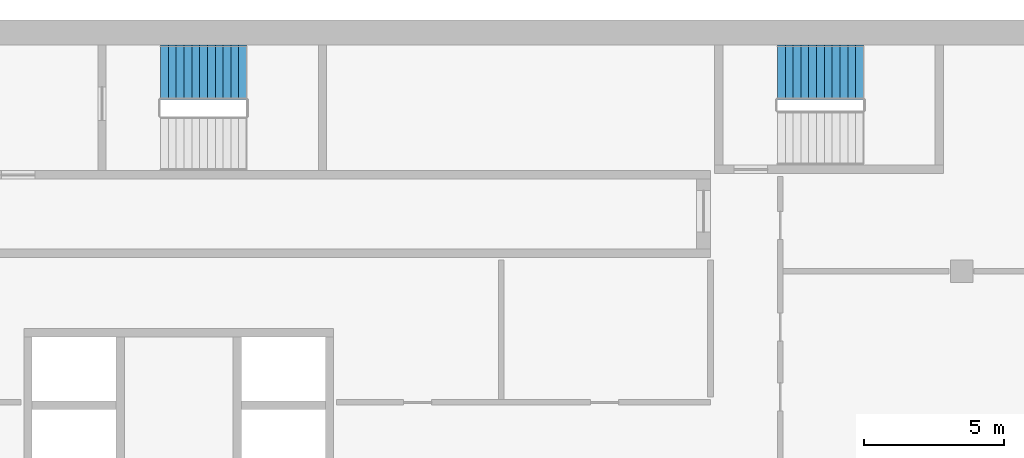
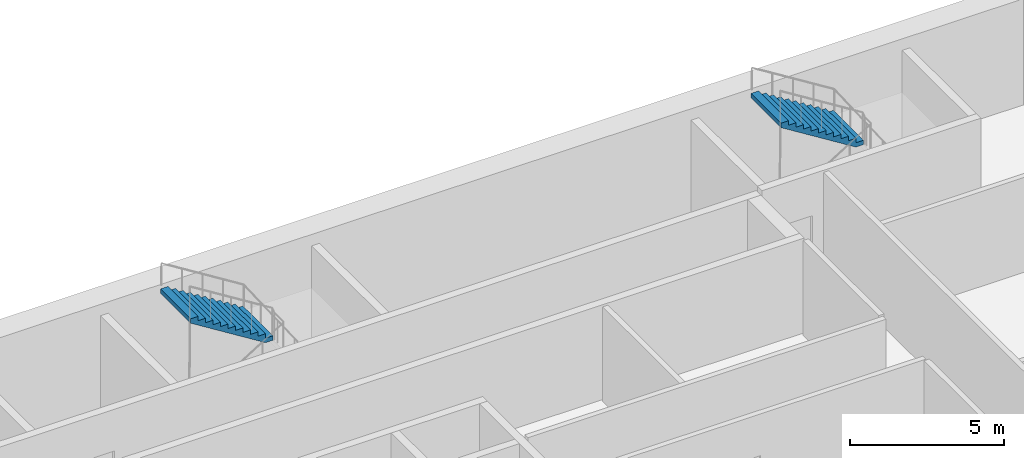
# One storey, part 9 of 11: 2 stair flights, 2 elements without a shape of their own.
"""IFC4 building model written with IfcOpenShell, lengths in metres."""

from ifc_helpers import new_model, si_unit, direction, frame, origin, place, context, subcontext, project, spatial, polyline, outline, extrude, material, type_object, element, aggregate, save


model = new_model("IFC4")

# Units and contexts
model_context = context("Model", 3, precision=1e-05, world=origin(), true_north=direction((0.0, 1.0)))
body_context = subcontext(model_context, "Body", "Model", "MODEL_VIEW")
ifc_project = project(units=[si_unit("LENGTHUNIT", "METRE"), si_unit("AREAUNIT", "SQUARE_METRE"), si_unit("VOLUMEUNIT", "CUBIC_METRE"), si_unit("PLANEANGLEUNIT", "RADIAN"), si_unit("MASSUNIT", "GRAM", prefix="KILO")], contexts=[model_context])

# Site, building, storey
site_placement = place(None, origin())
site = spatial("IfcSite", under=ifc_project, at=site_placement, CompositionType="ELEMENT")
building_placement = place(site_placement, origin())
building = spatial("IfcBuilding", under=site, at=building_placement, Name="Hunhe Ridgeline Campus", CompositionType="ELEMENT")
storey_placement = place(building_placement, frame((0.0, 0.0, 303.0)))
storey = spatial("IfcBuildingStorey", under=building, at=storey_placement, Name="L78 Crown", CompositionType="ELEMENT", Elevation=303.0)

# Stair, stair flight
ifc_material = material(Name="Concrete C40", Category="concrete")
stair_type = type_object("IfcStairType", Name="Reinforced concrete dog-leg stair 1950 Concrete C40", PredefinedType="HALF_TURN_STAIR", material=ifc_material)
stair_1_placement = place(storey_placement, origin())
stair_1 = element("IfcStair", 1, at=stair_1_placement, inside=storey, type_object=stair_type, Name="L78 Crown S1", PredefinedType="HALF_TURN_STAIR")
stair_flight_type = type_object("IfcStairFlightType", Name="Reinforced concrete stair flight 1950 Concrete C40", PredefinedType="STRAIGHT", material=ifc_material)
stair_flight_1_placement = place(storey_placement, frame((19.3798828125, 97.125, 2.10009765625), z_axis=(0.0, 0.0, 1.0), x_axis=(-1.0, 0.0, 0.0)))
stair_flight_1 = element("IfcStairFlight", 2, at=stair_flight_1_placement, type_object=stair_flight_type, Name="ST1 flight 2", NumberOfRisers=12, NumberOfTreads=11, PredefinedType="STRAIGHT", RiserHeight=0.175, TreadLength=0.28, context=body_context, shape_type="SweptSolid", body=[
    extrude(outline(polyline([(0.0, 0.0), (0.0, 0.175048828125), (0.280029296875, 0.175048828125), (0.280029296875, 0.35009765625), (0.56005859375, 0.35009765625), (0.56005859375, 0.52490234375), (0.840087890625, 0.52490234375), (0.840087890625, 0.699951171875), (1.1201171875, 0.699951171875), (1.1201171875, 0.875), (1.39990234375, 0.875), (1.39990234375, 1.050048828125), (1.679931640625, 1.050048828125), (1.679931640625, 1.22509765625), (1.9599609375, 1.22509765625), (1.9599609375, 1.39990234375), (2.239990234375, 1.39990234375), (2.239990234375, 1.574951171875), (2.52001953125, 1.574951171875), (2.52001953125, 1.75), (2.800048828125, 1.75), (2.800048828125, 1.925048828125), (3.080078125, 1.925048828125), (3.080078125, 2.10009765625), (3.080078125, 1.748291015625), (0.28271484375, 0.0), (0.0, 0.0)])), frame((0.0, 0.97509765625, 0.0), z_axis=(0.0, -1.0, 0.0), x_axis=(1.0, 0.0, 0.0)), (0.0, 0.0, 1.0), 1.949951171875),
    extrude(outline(polyline([(0.030029296875, 0.030029296875), (0.030029296875, 0.14501953125), (0.31005859375, 0.14501953125), (0.31005859375, 0.320068359375), (0.590087890625, 0.320068359375), (0.590087890625, 0.4951171875), (0.8701171875, 0.4951171875), (0.8701171875, 0.669921875), (1.14990234375, 0.669921875), (1.14990234375, 0.844970703125), (1.429931640625, 0.844970703125), (1.429931640625, 1.02001953125), (1.7099609375, 1.02001953125), (1.7099609375, 1.195068359375), (1.989990234375, 1.195068359375), (1.989990234375, 1.3701171875), (2.27001953125, 1.3701171875), (2.27001953125, 1.544921875), (2.550048828125, 1.544921875), (2.550048828125, 1.719970703125), (2.830078125, 1.719970703125), (2.830078125, 1.89501953125), (3.050048828125, 1.89501953125), (3.050048828125, 1.764892578125), (0.274169921875, 0.030029296875), (0.030029296875, 0.030029296875)])), frame((0.0, -0.070068359375, 0.0), z_axis=(0.0, -1.0, 0.0), x_axis=(1.0, 0.0, 0.0)), (0.0, 0.0, 1.0), 0.019775390625),
    extrude(outline(polyline([(0.030029296875, 0.030029296875), (0.030029296875, 0.14501953125), (0.31005859375, 0.14501953125), (0.31005859375, 0.320068359375), (0.590087890625, 0.320068359375), (0.590087890625, 0.4951171875), (0.8701171875, 0.4951171875), (0.8701171875, 0.669921875), (1.14990234375, 0.669921875), (1.14990234375, 0.844970703125), (1.429931640625, 0.844970703125), (1.429931640625, 1.02001953125), (1.7099609375, 1.02001953125), (1.7099609375, 1.195068359375), (1.989990234375, 1.195068359375), (1.989990234375, 1.3701171875), (2.27001953125, 1.3701171875), (2.27001953125, 1.544921875), (2.550048828125, 1.544921875), (2.550048828125, 1.719970703125), (2.830078125, 1.719970703125), (2.830078125, 1.89501953125), (3.050048828125, 1.89501953125), (3.050048828125, 1.764892578125), (0.274169921875, 0.030029296875), (0.030029296875, 0.030029296875)])), frame((0.0, 0.010009765625, 0.0), z_axis=(0.0, -1.0, 0.0), x_axis=(1.0, 0.0, 0.0)), (0.0, 0.0, 1.0), 0.019775390625),
    extrude(outline(polyline([(0.030029296875, 0.030029296875), (0.030029296875, 0.14501953125), (0.31005859375, 0.14501953125), (0.31005859375, 0.320068359375), (0.590087890625, 0.320068359375), (0.590087890625, 0.4951171875), (0.8701171875, 0.4951171875), (0.8701171875, 0.669921875), (1.14990234375, 0.669921875), (1.14990234375, 0.844970703125), (1.429931640625, 0.844970703125), (1.429931640625, 1.02001953125), (1.7099609375, 1.02001953125), (1.7099609375, 1.195068359375), (1.989990234375, 1.195068359375), (1.989990234375, 1.3701171875), (2.27001953125, 1.3701171875), (2.27001953125, 1.544921875), (2.550048828125, 1.544921875), (2.550048828125, 1.719970703125), (2.830078125, 1.719970703125), (2.830078125, 1.89501953125), (3.050048828125, 1.89501953125), (3.050048828125, 1.764892578125), (0.274169921875, 0.030029296875), (0.030029296875, 0.030029296875)])), frame((0.0, 0.090087890625, 0.0), z_axis=(0.0, -1.0, 0.0), x_axis=(1.0, 0.0, 0.0)), (0.0, 0.0, 1.0), 0.019775390625),
])
aggregate(stair_1, [stair_flight_1])

stair_2_placement = place(storey_placement, origin())
stair_2 = element("IfcStair", 3, at=stair_2_placement, inside=storey, type_object=stair_type, Name="L78 Crown E1", PredefinedType="HALF_TURN_STAIR")
stair_flight_2_placement = place(storey_placement, frame((41.47998046875, 97.125, 2.10009765625), z_axis=(0.0, 0.0, 1.0), x_axis=(-1.0, 0.0, 0.0)))
stair_flight_2 = element("IfcStairFlight", 4, at=stair_flight_2_placement, type_object=stair_flight_type, Name="ST5 flight 2", NumberOfRisers=12, NumberOfTreads=11, PredefinedType="STRAIGHT", RiserHeight=0.175, TreadLength=0.28, context=body_context, shape_type="SweptSolid", body=[
    extrude(outline(polyline([(0.0, 0.0), (0.0, 0.175048828125), (0.280029296875, 0.175048828125), (0.280029296875, 0.35009765625), (0.56005859375, 0.35009765625), (0.56005859375, 0.52490234375), (0.840087890625, 0.52490234375), (0.840087890625, 0.699951171875), (1.1201171875, 0.699951171875), (1.1201171875, 0.875), (1.39990234375, 0.875), (1.39990234375, 1.050048828125), (1.679931640625, 1.050048828125), (1.679931640625, 1.22509765625), (1.9599609375, 1.22509765625), (1.9599609375, 1.39990234375), (2.239990234375, 1.39990234375), (2.239990234375, 1.574951171875), (2.52001953125, 1.574951171875), (2.52001953125, 1.75), (2.800048828125, 1.75), (2.800048828125, 1.925048828125), (3.080078125, 1.925048828125), (3.080078125, 2.10009765625), (3.080078125, 1.748291015625), (0.28271484375, 0.0), (0.0, 0.0)])), frame((0.0, 0.97509765625, 0.0), z_axis=(0.0, -1.0, 0.0), x_axis=(1.0, 0.0, 0.0)), (0.0, 0.0, 1.0), 1.949951171875),
    extrude(outline(polyline([(0.030029296875, 0.030029296875), (0.030029296875, 0.14501953125), (0.31005859375, 0.14501953125), (0.31005859375, 0.320068359375), (0.590087890625, 0.320068359375), (0.590087890625, 0.4951171875), (0.8701171875, 0.4951171875), (0.8701171875, 0.669921875), (1.14990234375, 0.669921875), (1.14990234375, 0.844970703125), (1.429931640625, 0.844970703125), (1.429931640625, 1.02001953125), (1.7099609375, 1.02001953125), (1.7099609375, 1.195068359375), (1.989990234375, 1.195068359375), (1.989990234375, 1.3701171875), (2.27001953125, 1.3701171875), (2.27001953125, 1.544921875), (2.550048828125, 1.544921875), (2.550048828125, 1.719970703125), (2.830078125, 1.719970703125), (2.830078125, 1.89501953125), (3.050048828125, 1.89501953125), (3.050048828125, 1.764892578125), (0.274169921875, 0.030029296875), (0.030029296875, 0.030029296875)])), frame((0.0, -0.070068359375, 0.0), z_axis=(0.0, -1.0, 0.0), x_axis=(1.0, 0.0, 0.0)), (0.0, 0.0, 1.0), 0.019775390625),
    extrude(outline(polyline([(0.030029296875, 0.030029296875), (0.030029296875, 0.14501953125), (0.31005859375, 0.14501953125), (0.31005859375, 0.320068359375), (0.590087890625, 0.320068359375), (0.590087890625, 0.4951171875), (0.8701171875, 0.4951171875), (0.8701171875, 0.669921875), (1.14990234375, 0.669921875), (1.14990234375, 0.844970703125), (1.429931640625, 0.844970703125), (1.429931640625, 1.02001953125), (1.7099609375, 1.02001953125), (1.7099609375, 1.195068359375), (1.989990234375, 1.195068359375), (1.989990234375, 1.3701171875), (2.27001953125, 1.3701171875), (2.27001953125, 1.544921875), (2.550048828125, 1.544921875), (2.550048828125, 1.719970703125), (2.830078125, 1.719970703125), (2.830078125, 1.89501953125), (3.050048828125, 1.89501953125), (3.050048828125, 1.764892578125), (0.274169921875, 0.030029296875), (0.030029296875, 0.030029296875)])), frame((0.0, 0.010009765625, 0.0), z_axis=(0.0, -1.0, 0.0), x_axis=(1.0, 0.0, 0.0)), (0.0, 0.0, 1.0), 0.019775390625),
    extrude(outline(polyline([(0.030029296875, 0.030029296875), (0.030029296875, 0.14501953125), (0.31005859375, 0.14501953125), (0.31005859375, 0.320068359375), (0.590087890625, 0.320068359375), (0.590087890625, 0.4951171875), (0.8701171875, 0.4951171875), (0.8701171875, 0.669921875), (1.14990234375, 0.669921875), (1.14990234375, 0.844970703125), (1.429931640625, 0.844970703125), (1.429931640625, 1.02001953125), (1.7099609375, 1.02001953125), (1.7099609375, 1.195068359375), (1.989990234375, 1.195068359375), (1.989990234375, 1.3701171875), (2.27001953125, 1.3701171875), (2.27001953125, 1.544921875), (2.550048828125, 1.544921875), (2.550048828125, 1.719970703125), (2.830078125, 1.719970703125), (2.830078125, 1.89501953125), (3.050048828125, 1.89501953125), (3.050048828125, 1.764892578125), (0.274169921875, 0.030029296875), (0.030029296875, 0.030029296875)])), frame((0.0, 0.090087890625, 0.0), z_axis=(0.0, -1.0, 0.0), x_axis=(1.0, 0.0, 0.0)), (0.0, 0.0, 1.0), 0.019775390625),
])
aggregate(stair_2, [stair_flight_2])

save(model, "model.ifc")
